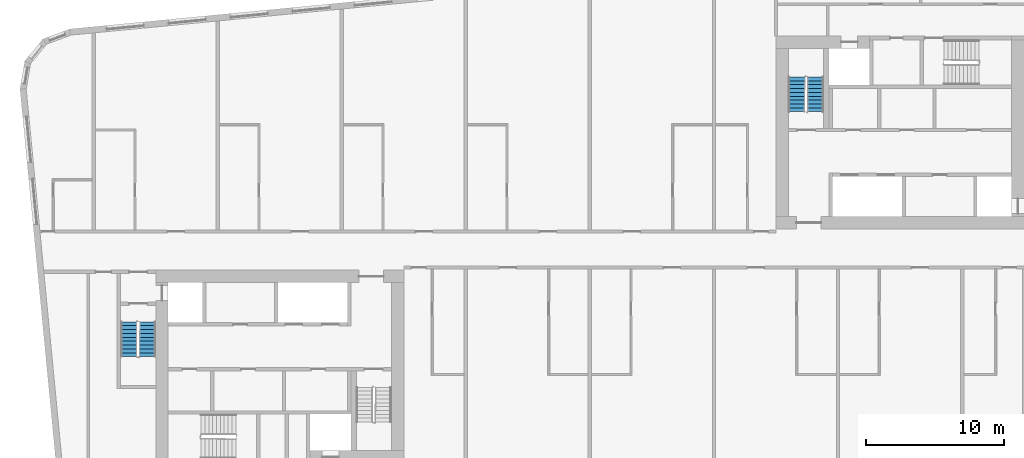
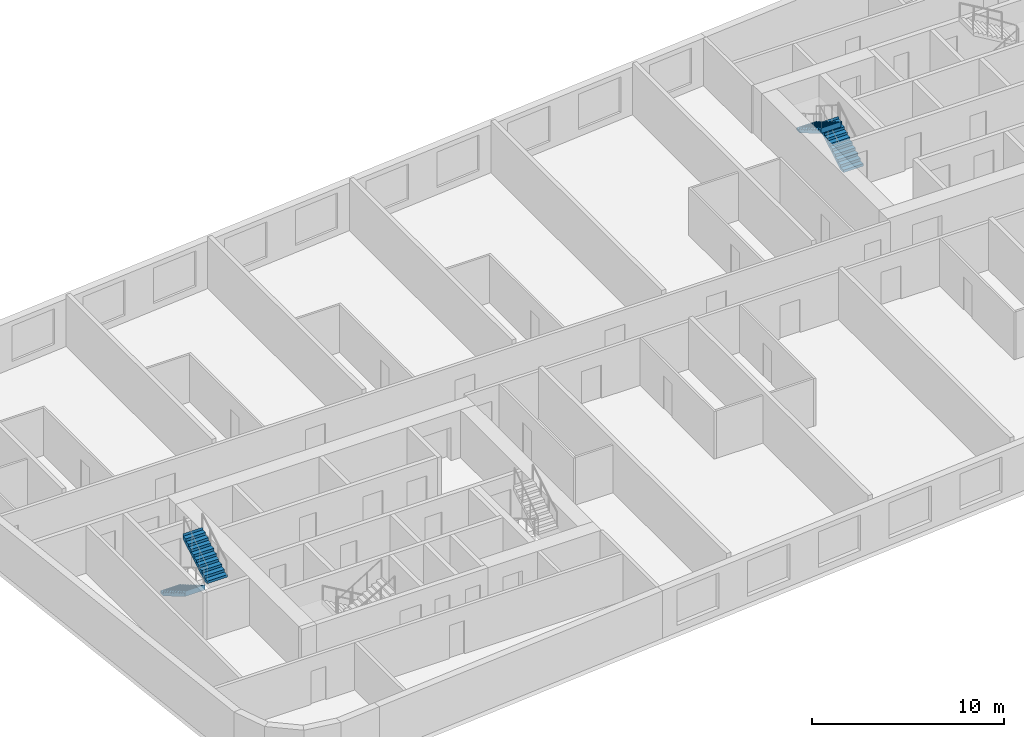
# One storey, part 9 of 11: 4 stair flights, 2 elements without a shape of their own.
"""IFC4 building model written with IfcOpenShell, lengths in metres."""

from ifc_helpers import new_model, si_unit, direction, frame, origin, place, context, subcontext, project, spatial, faceted_brep, material, type_object, element, aggregate, save


model = new_model("IFC4")

# Units and contexts
model_context = context("Model", 3, precision=1e-05, world=origin(), true_north=direction((0.0, 1.0)))
body_context = subcontext(model_context, "Body", "Model", "MODEL_VIEW")
ifc_project = project(units=[si_unit("LENGTHUNIT", "METRE"), si_unit("AREAUNIT", "SQUARE_METRE"), si_unit("VOLUMEUNIT", "CUBIC_METRE"), si_unit("PLANEANGLEUNIT", "RADIAN"), si_unit("MASSUNIT", "GRAM", prefix="KILO")], contexts=[model_context])

# Site, building, storey
site_placement = place(None, origin())
site = spatial("IfcSite", under=ifc_project, at=site_placement, CompositionType="ELEMENT")
building_placement = place(site_placement, origin())
building = spatial("IfcBuilding", under=site, at=building_placement, Name="Kajstack Hotel Tower", CompositionType="ELEMENT")
storey_placement = place(building_placement, frame((0.0, 0.0, 275.10009765625)))
storey = spatial("IfcBuildingStorey", under=building, at=storey_placement, Name="L68", CompositionType="ELEMENT", Elevation=275.10009765625)

# Stair, stair flights
ifc_material = material(Name="Concrete C40/50", Category="concrete")
stair_type = type_object("IfcStairType", Name="Exit stair 1200", PredefinedType="HALF_TURN_STAIR", material=ifc_material)
stair_1_placement = place(storey_placement, origin())
stair_1 = element("IfcStair", 1, at=stair_1_placement, inside=storey, type_object=stair_type, Name="L68 stair W1", PredefinedType="HALF_TURN_STAIR")
stair_flight_type = type_object("IfcStairFlightType", Name="Exit stair flight 1200", PredefinedType="STRAIGHT", material=ifc_material)
stair_flight_1_placement = place(storey_placement, frame((-33.449951171875, -5.25, 0.0), z_axis=(0.0, 0.0, 1.0), x_axis=(0.0, -1.0, 0.0)))
stair_flight_1 = element("IfcStairFlight", 2, at=stair_flight_1_placement, type_object=stair_flight_type, Name="W1 flight 1", NumberOfRisers=10, NumberOfTreads=9, PredefinedType="STRAIGHT", RiserHeight=0.165, TreadLength=0.28, context=body_context, shape_type="Brep", body=[
    faceted_brep([(0.295654296875, -0.60009765625, 0.0), (2.5205078125, -0.60009765625, 1.31103515625), (2.5205078125, -0.60009765625, 1.64990234375), (2.52001953125, -0.60009765625, 1.64990234375), (2.52001953125, -0.60009765625, 1.485107421875), (2.239990234375, -0.60009765625, 1.485107421875), (2.239990234375, -0.60009765625, 1.320068359375), (1.9599609375, -0.60009765625, 1.320068359375), (1.9599609375, -0.60009765625, 1.155029296875), (1.679931640625, -0.60009765625, 1.155029296875), (1.679931640625, -0.60009765625, 0.989990234375), (1.39990234375, -0.60009765625, 0.989990234375), (1.39990234375, -0.60009765625, 0.824951171875), (1.1201171875, -0.60009765625, 0.824951171875), (1.1201171875, -0.60009765625, 0.659912109375), (0.840087890625, -0.60009765625, 0.659912109375), (0.840087890625, -0.60009765625, 0.4951171875), (0.56005859375, -0.60009765625, 0.4951171875), (0.56005859375, -0.60009765625, 0.330078125), (0.280029296875, -0.60009765625, 0.330078125), (0.280029296875, -0.60009765625, 0.1650390625), (-0.00048828125, -0.60009765625, 0.1650390625), (-0.00048828125, -0.60009765625, 0.0), (-0.00048828125, 0.60009765625, 0.0), (-0.00048828125, 0.60009765625, 0.1650390625), (0.280029296875, 0.60009765625, 0.1650390625), (0.280029296875, 0.60009765625, 0.330078125), (0.56005859375, 0.60009765625, 0.330078125), (0.56005859375, 0.60009765625, 0.4951171875), (0.840087890625, 0.60009765625, 0.4951171875), (0.840087890625, 0.60009765625, 0.659912109375), (1.1201171875, 0.60009765625, 0.659912109375), (1.1201171875, 0.60009765625, 0.824951171875), (1.39990234375, 0.60009765625, 0.824951171875), (1.39990234375, 0.60009765625, 0.989990234375), (1.679931640625, 0.60009765625, 0.989990234375), (1.679931640625, 0.60009765625, 1.155029296875), (1.9599609375, 0.60009765625, 1.155029296875), (1.9599609375, 0.60009765625, 1.320068359375), (2.239990234375, 0.60009765625, 1.320068359375), (2.239990234375, 0.60009765625, 1.485107421875), (2.52001953125, 0.60009765625, 1.485107421875), (2.52001953125, 0.60009765625, 1.64990234375), (2.5205078125, 0.60009765625, 1.64990234375), (2.5205078125, 0.60009765625, 1.31103515625), (0.295654296875, 0.60009765625, 0.0), (-0.00048828125, -0.300048828125, 0.1650390625), (-0.00048828125, 0.0, 0.1650390625), (-0.00048828125, 0.300048828125, 0.1650390625), (-0.00048828125, 0.300048828125, 0.0), (-0.00048828125, 0.0, 0.0), (-0.00048828125, -0.300048828125, 0.0), (0.280029296875, -0.300048828125, 0.1650390625), (0.280029296875, 0.0, 0.1650390625), (0.280029296875, 0.300048828125, 0.1650390625), (0.280029296875, -0.300048828125, 0.330078125), (0.280029296875, 0.0, 0.330078125), (0.280029296875, 0.300048828125, 0.330078125), (0.56005859375, -0.300048828125, 0.330078125), (0.56005859375, 0.0, 0.330078125), (0.56005859375, 0.300048828125, 0.330078125), (0.56005859375, -0.300048828125, 0.4951171875), (0.56005859375, 0.0, 0.4951171875), (0.56005859375, 0.300048828125, 0.4951171875), (0.840087890625, -0.300048828125, 0.4951171875), (0.840087890625, 0.0, 0.4951171875), (0.840087890625, 0.300048828125, 0.4951171875), (0.840087890625, -0.300048828125, 0.659912109375), (0.840087890625, 0.0, 0.659912109375), (0.840087890625, 0.300048828125, 0.659912109375), (1.1201171875, -0.300048828125, 0.659912109375), (1.1201171875, 0.0, 0.659912109375), (1.1201171875, 0.300048828125, 0.659912109375), (1.1201171875, -0.300048828125, 0.824951171875), (1.1201171875, 0.0, 0.824951171875), (1.1201171875, 0.300048828125, 0.824951171875), (1.39990234375, -0.300048828125, 0.824951171875), (1.39990234375, 0.0, 0.824951171875), (1.39990234375, 0.300048828125, 0.824951171875), (1.39990234375, -0.300048828125, 0.989990234375), (1.39990234375, 0.0, 0.989990234375), (1.39990234375, 0.300048828125, 0.989990234375), (1.679931640625, -0.300048828125, 0.989990234375), (1.679931640625, 0.0, 0.989990234375), (1.679931640625, 0.300048828125, 0.989990234375), (1.679931640625, -0.300048828125, 1.155029296875), (1.679931640625, 0.0, 1.155029296875), (1.679931640625, 0.300048828125, 1.155029296875), (1.9599609375, -0.300048828125, 1.155029296875), (1.9599609375, 0.0, 1.155029296875), (1.9599609375, 0.300048828125, 1.155029296875), (1.9599609375, -0.300048828125, 1.320068359375), (1.9599609375, 0.0, 1.320068359375), (1.9599609375, 0.300048828125, 1.320068359375), (2.239990234375, -0.300048828125, 1.320068359375), (2.239990234375, 0.0, 1.320068359375), (2.239990234375, 0.300048828125, 1.320068359375), (2.239990234375, -0.300048828125, 1.485107421875), (2.239990234375, 0.0, 1.485107421875), (2.239990234375, 0.300048828125, 1.485107421875), (2.52001953125, -0.300048828125, 1.485107421875), (2.52001953125, 0.0, 1.485107421875), (2.52001953125, 0.300048828125, 1.485107421875), (2.52001953125, -0.300048828125, 1.64990234375), (2.52001953125, 0.0, 1.64990234375), (2.52001953125, 0.300048828125, 1.64990234375), (2.5205078125, -0.300048828125, 1.64990234375), (2.5205078125, 0.0, 1.64990234375), (2.5205078125, 0.300048828125, 1.64990234375), (2.5205078125, -0.300048828125, 1.31103515625), (2.5205078125, 0.0, 1.31103515625), (2.5205078125, 0.300048828125, 1.31103515625), (0.295654296875, -0.300048828125, 0.0), (0.295654296875, 0.0, 0.0), (0.295654296875, 0.300048828125, 0.0)], [[[0, 1, 2, 3, 4, 5, 6, 7, 8, 9, 10, 11, 12, 13, 14, 15, 16, 17, 18, 19, 20, 21, 22]], [[23, 24, 25, 26, 27, 28, 29, 30, 31, 32, 33, 34, 35, 36, 37, 38, 39, 40, 41, 42, 43, 44, 45]], [[21, 46, 47, 48, 24, 23, 49, 50, 51, 22]], [[20, 52, 53, 54, 25, 24, 48, 47, 46, 21]], [[19, 55, 56, 57, 26, 25, 54, 53, 52, 20]], [[18, 58, 59, 60, 27, 26, 57, 56, 55, 19]], [[17, 61, 62, 63, 28, 27, 60, 59, 58, 18]], [[16, 64, 65, 66, 29, 28, 63, 62, 61, 17]], [[15, 67, 68, 69, 30, 29, 66, 65, 64, 16]], [[14, 70, 71, 72, 31, 30, 69, 68, 67, 15]], [[13, 73, 74, 75, 32, 31, 72, 71, 70, 14]], [[12, 76, 77, 78, 33, 32, 75, 74, 73, 13]], [[11, 79, 80, 81, 34, 33, 78, 77, 76, 12]], [[10, 82, 83, 84, 35, 34, 81, 80, 79, 11]], [[9, 85, 86, 87, 36, 35, 84, 83, 82, 10]], [[8, 88, 89, 90, 37, 36, 87, 86, 85, 9]], [[7, 91, 92, 93, 38, 37, 90, 89, 88, 8]], [[6, 94, 95, 96, 39, 38, 93, 92, 91, 7]], [[5, 97, 98, 99, 40, 39, 96, 95, 94, 6]], [[4, 100, 101, 102, 41, 40, 99, 98, 97, 5]], [[3, 103, 104, 105, 42, 41, 102, 101, 100, 4]], [[2, 106, 107, 108, 43, 42, 105, 104, 103, 3]], [[1, 109, 110, 111, 44, 43, 108, 107, 106, 2]], [[0, 112, 113, 114, 45, 44, 111, 110, 109, 1]], [[22, 51, 50, 49, 23, 45, 114, 113, 112, 0]]]),
])
stair_flight_2_placement = place(storey_placement, frame((-32.10009765625, -7.77001953125, 1.64990234375), z_axis=(0.0, 0.0, 1.0), x_axis=(0.0, 1.0, 0.0)))
stair_flight_2 = element("IfcStairFlight", 3, at=stair_flight_2_placement, type_object=stair_flight_type, Name="W1 flight 2", NumberOfRisers=10, NumberOfTreads=9, PredefinedType="STRAIGHT", RiserHeight=0.165, TreadLength=0.28, context=body_context, shape_type="Brep", body=[
    faceted_brep([(0.295654296875, -0.60009765625, 0.0), (2.5205078125, -0.60009765625, 1.31103515625), (2.5205078125, -0.60009765625, 1.64990234375), (2.52001953125, -0.60009765625, 1.64990234375), (2.52001953125, -0.60009765625, 1.485107421875), (2.239990234375, -0.60009765625, 1.485107421875), (2.239990234375, -0.60009765625, 1.320068359375), (1.9599609375, -0.60009765625, 1.320068359375), (1.9599609375, -0.60009765625, 1.155029296875), (1.679931640625, -0.60009765625, 1.155029296875), (1.679931640625, -0.60009765625, 0.989990234375), (1.39990234375, -0.60009765625, 0.989990234375), (1.39990234375, -0.60009765625, 0.824951171875), (1.1201171875, -0.60009765625, 0.824951171875), (1.1201171875, -0.60009765625, 0.659912109375), (0.840087890625, -0.60009765625, 0.659912109375), (0.840087890625, -0.60009765625, 0.4951171875), (0.56005859375, -0.60009765625, 0.4951171875), (0.56005859375, -0.60009765625, 0.330078125), (0.280029296875, -0.60009765625, 0.330078125), (0.280029296875, -0.60009765625, 0.1650390625), (-0.00048828125, -0.60009765625, 0.1650390625), (-0.00048828125, -0.60009765625, 0.0), (-0.00048828125, 0.60009765625, 0.0), (-0.00048828125, 0.60009765625, 0.1650390625), (0.280029296875, 0.60009765625, 0.1650390625), (0.280029296875, 0.60009765625, 0.330078125), (0.56005859375, 0.60009765625, 0.330078125), (0.56005859375, 0.60009765625, 0.4951171875), (0.840087890625, 0.60009765625, 0.4951171875), (0.840087890625, 0.60009765625, 0.659912109375), (1.1201171875, 0.60009765625, 0.659912109375), (1.1201171875, 0.60009765625, 0.824951171875), (1.39990234375, 0.60009765625, 0.824951171875), (1.39990234375, 0.60009765625, 0.989990234375), (1.679931640625, 0.60009765625, 0.989990234375), (1.679931640625, 0.60009765625, 1.155029296875), (1.9599609375, 0.60009765625, 1.155029296875), (1.9599609375, 0.60009765625, 1.320068359375), (2.239990234375, 0.60009765625, 1.320068359375), (2.239990234375, 0.60009765625, 1.485107421875), (2.52001953125, 0.60009765625, 1.485107421875), (2.52001953125, 0.60009765625, 1.64990234375), (2.5205078125, 0.60009765625, 1.64990234375), (2.5205078125, 0.60009765625, 1.31103515625), (0.295654296875, 0.60009765625, 0.0), (-0.00048828125, -0.300048828125, 0.1650390625), (-0.00048828125, 0.0, 0.1650390625), (-0.00048828125, 0.300048828125, 0.1650390625), (-0.00048828125, 0.300048828125, 0.0), (-0.00048828125, 0.0, 0.0), (-0.00048828125, -0.300048828125, 0.0), (0.280029296875, -0.300048828125, 0.1650390625), (0.280029296875, 0.0, 0.1650390625), (0.280029296875, 0.300048828125, 0.1650390625), (0.280029296875, -0.300048828125, 0.330078125), (0.280029296875, 0.0, 0.330078125), (0.280029296875, 0.300048828125, 0.330078125), (0.56005859375, -0.300048828125, 0.330078125), (0.56005859375, 0.0, 0.330078125), (0.56005859375, 0.300048828125, 0.330078125), (0.56005859375, -0.300048828125, 0.4951171875), (0.56005859375, 0.0, 0.4951171875), (0.56005859375, 0.300048828125, 0.4951171875), (0.840087890625, -0.300048828125, 0.4951171875), (0.840087890625, 0.0, 0.4951171875), (0.840087890625, 0.300048828125, 0.4951171875), (0.840087890625, -0.300048828125, 0.659912109375), (0.840087890625, 0.0, 0.659912109375), (0.840087890625, 0.300048828125, 0.659912109375), (1.1201171875, -0.300048828125, 0.659912109375), (1.1201171875, 0.0, 0.659912109375), (1.1201171875, 0.300048828125, 0.659912109375), (1.1201171875, -0.300048828125, 0.824951171875), (1.1201171875, 0.0, 0.824951171875), (1.1201171875, 0.300048828125, 0.824951171875), (1.39990234375, -0.300048828125, 0.824951171875), (1.39990234375, 0.0, 0.824951171875), (1.39990234375, 0.300048828125, 0.824951171875), (1.39990234375, -0.300048828125, 0.989990234375), (1.39990234375, 0.0, 0.989990234375), (1.39990234375, 0.300048828125, 0.989990234375), (1.679931640625, -0.300048828125, 0.989990234375), (1.679931640625, 0.0, 0.989990234375), (1.679931640625, 0.300048828125, 0.989990234375), (1.679931640625, -0.300048828125, 1.155029296875), (1.679931640625, 0.0, 1.155029296875), (1.679931640625, 0.300048828125, 1.155029296875), (1.9599609375, -0.300048828125, 1.155029296875), (1.9599609375, 0.0, 1.155029296875), (1.9599609375, 0.300048828125, 1.155029296875), (1.9599609375, -0.300048828125, 1.320068359375), (1.9599609375, 0.0, 1.320068359375), (1.9599609375, 0.300048828125, 1.320068359375), (2.239990234375, -0.300048828125, 1.320068359375), (2.239990234375, 0.0, 1.320068359375), (2.239990234375, 0.300048828125, 1.320068359375), (2.239990234375, -0.300048828125, 1.485107421875), (2.239990234375, 0.0, 1.485107421875), (2.239990234375, 0.300048828125, 1.485107421875), (2.52001953125, -0.300048828125, 1.485107421875), (2.52001953125, 0.0, 1.485107421875), (2.52001953125, 0.300048828125, 1.485107421875), (2.52001953125, -0.300048828125, 1.64990234375), (2.52001953125, 0.0, 1.64990234375), (2.52001953125, 0.300048828125, 1.64990234375), (2.5205078125, -0.300048828125, 1.64990234375), (2.5205078125, 0.0, 1.64990234375), (2.5205078125, 0.300048828125, 1.64990234375), (2.5205078125, -0.300048828125, 1.31103515625), (2.5205078125, 0.0, 1.31103515625), (2.5205078125, 0.300048828125, 1.31103515625), (0.295654296875, -0.300048828125, 0.0), (0.295654296875, 0.0, 0.0), (0.295654296875, 0.300048828125, 0.0)], [[[0, 1, 2, 3, 4, 5, 6, 7, 8, 9, 10, 11, 12, 13, 14, 15, 16, 17, 18, 19, 20, 21, 22]], [[23, 24, 25, 26, 27, 28, 29, 30, 31, 32, 33, 34, 35, 36, 37, 38, 39, 40, 41, 42, 43, 44, 45]], [[21, 46, 47, 48, 24, 23, 49, 50, 51, 22]], [[20, 52, 53, 54, 25, 24, 48, 47, 46, 21]], [[19, 55, 56, 57, 26, 25, 54, 53, 52, 20]], [[18, 58, 59, 60, 27, 26, 57, 56, 55, 19]], [[17, 61, 62, 63, 28, 27, 60, 59, 58, 18]], [[16, 64, 65, 66, 29, 28, 63, 62, 61, 17]], [[15, 67, 68, 69, 30, 29, 66, 65, 64, 16]], [[14, 70, 71, 72, 31, 30, 69, 68, 67, 15]], [[13, 73, 74, 75, 32, 31, 72, 71, 70, 14]], [[12, 76, 77, 78, 33, 32, 75, 74, 73, 13]], [[11, 79, 80, 81, 34, 33, 78, 77, 76, 12]], [[10, 82, 83, 84, 35, 34, 81, 80, 79, 11]], [[9, 85, 86, 87, 36, 35, 84, 83, 82, 10]], [[8, 88, 89, 90, 37, 36, 87, 86, 85, 9]], [[7, 91, 92, 93, 38, 37, 90, 89, 88, 8]], [[6, 94, 95, 96, 39, 38, 93, 92, 91, 7]], [[5, 97, 98, 99, 40, 39, 96, 95, 94, 6]], [[4, 100, 101, 102, 41, 40, 99, 98, 97, 5]], [[3, 103, 104, 105, 42, 41, 102, 101, 100, 4]], [[2, 106, 107, 108, 43, 42, 105, 104, 103, 3]], [[1, 109, 110, 111, 44, 43, 108, 107, 106, 2]], [[0, 112, 113, 114, 45, 44, 111, 110, 109, 1]], [[22, 51, 50, 49, 23, 45, 114, 113, 112, 0]]]),
])
aggregate(stair_1, [stair_flight_1, stair_flight_2])

stair_2_placement = place(storey_placement, origin())
stair_2 = element("IfcStair", 4, at=stair_2_placement, inside=storey, type_object=stair_type, Name="L68 stair E2", PredefinedType="HALF_TURN_STAIR")
stair_flight_3_placement = place(storey_placement, frame((16.35009765625, 10.0, 0.0), z_axis=(0.0, 0.0, 1.0), x_axis=(0.0, 1.0, 0.0)))
stair_flight_3 = element("IfcStairFlight", 5, at=stair_flight_3_placement, type_object=stair_flight_type, Name="E2 flight 1", NumberOfRisers=10, NumberOfTreads=9, PredefinedType="STRAIGHT", RiserHeight=0.165, TreadLength=0.28, context=body_context, shape_type="Brep", body=[
    faceted_brep([(0.295654296875, -0.60009765625, 0.0), (2.5205078125, -0.60009765625, 1.31103515625), (2.5205078125, -0.60009765625, 1.64990234375), (2.52001953125, -0.60009765625, 1.64990234375), (2.52001953125, -0.60009765625, 1.485107421875), (2.239990234375, -0.60009765625, 1.485107421875), (2.239990234375, -0.60009765625, 1.320068359375), (1.9599609375, -0.60009765625, 1.320068359375), (1.9599609375, -0.60009765625, 1.155029296875), (1.679931640625, -0.60009765625, 1.155029296875), (1.679931640625, -0.60009765625, 0.989990234375), (1.39990234375, -0.60009765625, 0.989990234375), (1.39990234375, -0.60009765625, 0.824951171875), (1.1201171875, -0.60009765625, 0.824951171875), (1.1201171875, -0.60009765625, 0.659912109375), (0.840087890625, -0.60009765625, 0.659912109375), (0.840087890625, -0.60009765625, 0.4951171875), (0.56005859375, -0.60009765625, 0.4951171875), (0.56005859375, -0.60009765625, 0.330078125), (0.280029296875, -0.60009765625, 0.330078125), (0.280029296875, -0.60009765625, 0.1650390625), (-0.00048828125, -0.60009765625, 0.1650390625), (-0.00048828125, -0.60009765625, 0.0), (-0.00048828125, 0.60009765625, 0.0), (-0.00048828125, 0.60009765625, 0.1650390625), (0.280029296875, 0.60009765625, 0.1650390625), (0.280029296875, 0.60009765625, 0.330078125), (0.56005859375, 0.60009765625, 0.330078125), (0.56005859375, 0.60009765625, 0.4951171875), (0.840087890625, 0.60009765625, 0.4951171875), (0.840087890625, 0.60009765625, 0.659912109375), (1.1201171875, 0.60009765625, 0.659912109375), (1.1201171875, 0.60009765625, 0.824951171875), (1.39990234375, 0.60009765625, 0.824951171875), (1.39990234375, 0.60009765625, 0.989990234375), (1.679931640625, 0.60009765625, 0.989990234375), (1.679931640625, 0.60009765625, 1.155029296875), (1.9599609375, 0.60009765625, 1.155029296875), (1.9599609375, 0.60009765625, 1.320068359375), (2.239990234375, 0.60009765625, 1.320068359375), (2.239990234375, 0.60009765625, 1.485107421875), (2.52001953125, 0.60009765625, 1.485107421875), (2.52001953125, 0.60009765625, 1.64990234375), (2.5205078125, 0.60009765625, 1.64990234375), (2.5205078125, 0.60009765625, 1.31103515625), (0.295654296875, 0.60009765625, 0.0), (-0.00048828125, -0.300048828125, 0.1650390625), (-0.00048828125, 0.0, 0.1650390625), (-0.00048828125, 0.300048828125, 0.1650390625), (-0.00048828125, 0.300048828125, 0.0), (-0.00048828125, 0.0, 0.0), (-0.00048828125, -0.300048828125, 0.0), (0.280029296875, -0.300048828125, 0.1650390625), (0.280029296875, 0.0, 0.1650390625), (0.280029296875, 0.300048828125, 0.1650390625), (0.280029296875, -0.300048828125, 0.330078125), (0.280029296875, 0.0, 0.330078125), (0.280029296875, 0.300048828125, 0.330078125), (0.56005859375, -0.300048828125, 0.330078125), (0.56005859375, 0.0, 0.330078125), (0.56005859375, 0.300048828125, 0.330078125), (0.56005859375, -0.300048828125, 0.4951171875), (0.56005859375, 0.0, 0.4951171875), (0.56005859375, 0.300048828125, 0.4951171875), (0.840087890625, -0.300048828125, 0.4951171875), (0.840087890625, 0.0, 0.4951171875), (0.840087890625, 0.300048828125, 0.4951171875), (0.840087890625, -0.300048828125, 0.659912109375), (0.840087890625, 0.0, 0.659912109375), (0.840087890625, 0.300048828125, 0.659912109375), (1.1201171875, -0.300048828125, 0.659912109375), (1.1201171875, 0.0, 0.659912109375), (1.1201171875, 0.300048828125, 0.659912109375), (1.1201171875, -0.300048828125, 0.824951171875), (1.1201171875, 0.0, 0.824951171875), (1.1201171875, 0.300048828125, 0.824951171875), (1.39990234375, -0.300048828125, 0.824951171875), (1.39990234375, 0.0, 0.824951171875), (1.39990234375, 0.300048828125, 0.824951171875), (1.39990234375, -0.300048828125, 0.989990234375), (1.39990234375, 0.0, 0.989990234375), (1.39990234375, 0.300048828125, 0.989990234375), (1.679931640625, -0.300048828125, 0.989990234375), (1.679931640625, 0.0, 0.989990234375), (1.679931640625, 0.300048828125, 0.989990234375), (1.679931640625, -0.300048828125, 1.155029296875), (1.679931640625, 0.0, 1.155029296875), (1.679931640625, 0.300048828125, 1.155029296875), (1.9599609375, -0.300048828125, 1.155029296875), (1.9599609375, 0.0, 1.155029296875), (1.9599609375, 0.300048828125, 1.155029296875), (1.9599609375, -0.300048828125, 1.320068359375), (1.9599609375, 0.0, 1.320068359375), (1.9599609375, 0.300048828125, 1.320068359375), (2.239990234375, -0.300048828125, 1.320068359375), (2.239990234375, 0.0, 1.320068359375), (2.239990234375, 0.300048828125, 1.320068359375), (2.239990234375, -0.300048828125, 1.485107421875), (2.239990234375, 0.0, 1.485107421875), (2.239990234375, 0.300048828125, 1.485107421875), (2.52001953125, -0.300048828125, 1.485107421875), (2.52001953125, 0.0, 1.485107421875), (2.52001953125, 0.300048828125, 1.485107421875), (2.52001953125, -0.300048828125, 1.64990234375), (2.52001953125, 0.0, 1.64990234375), (2.52001953125, 0.300048828125, 1.64990234375), (2.5205078125, -0.300048828125, 1.64990234375), (2.5205078125, 0.0, 1.64990234375), (2.5205078125, 0.300048828125, 1.64990234375), (2.5205078125, -0.300048828125, 1.31103515625), (2.5205078125, 0.0, 1.31103515625), (2.5205078125, 0.300048828125, 1.31103515625), (0.295654296875, -0.300048828125, 0.0), (0.295654296875, 0.0, 0.0), (0.295654296875, 0.300048828125, 0.0)], [[[0, 1, 2, 3, 4, 5, 6, 7, 8, 9, 10, 11, 12, 13, 14, 15, 16, 17, 18, 19, 20, 21, 22]], [[23, 24, 25, 26, 27, 28, 29, 30, 31, 32, 33, 34, 35, 36, 37, 38, 39, 40, 41, 42, 43, 44, 45]], [[21, 46, 47, 48, 24, 23, 49, 50, 51, 22]], [[20, 52, 53, 54, 25, 24, 48, 47, 46, 21]], [[19, 55, 56, 57, 26, 25, 54, 53, 52, 20]], [[18, 58, 59, 60, 27, 26, 57, 56, 55, 19]], [[17, 61, 62, 63, 28, 27, 60, 59, 58, 18]], [[16, 64, 65, 66, 29, 28, 63, 62, 61, 17]], [[15, 67, 68, 69, 30, 29, 66, 65, 64, 16]], [[14, 70, 71, 72, 31, 30, 69, 68, 67, 15]], [[13, 73, 74, 75, 32, 31, 72, 71, 70, 14]], [[12, 76, 77, 78, 33, 32, 75, 74, 73, 13]], [[11, 79, 80, 81, 34, 33, 78, 77, 76, 12]], [[10, 82, 83, 84, 35, 34, 81, 80, 79, 11]], [[9, 85, 86, 87, 36, 35, 84, 83, 82, 10]], [[8, 88, 89, 90, 37, 36, 87, 86, 85, 9]], [[7, 91, 92, 93, 38, 37, 90, 89, 88, 8]], [[6, 94, 95, 96, 39, 38, 93, 92, 91, 7]], [[5, 97, 98, 99, 40, 39, 96, 95, 94, 6]], [[4, 100, 101, 102, 41, 40, 99, 98, 97, 5]], [[3, 103, 104, 105, 42, 41, 102, 101, 100, 4]], [[2, 106, 107, 108, 43, 42, 105, 104, 103, 3]], [[1, 109, 110, 111, 44, 43, 108, 107, 106, 2]], [[0, 112, 113, 114, 45, 44, 111, 110, 109, 1]], [[22, 51, 50, 49, 23, 45, 114, 113, 112, 0]]]),
])
stair_flight_4_placement = place(storey_placement, frame((15.0, 12.52001953125, 1.64990234375), z_axis=(0.0, 0.0, 1.0), x_axis=(0.0, -1.0, 0.0)))
stair_flight_4 = element("IfcStairFlight", 6, at=stair_flight_4_placement, type_object=stair_flight_type, Name="E2 flight 2", NumberOfRisers=10, NumberOfTreads=9, PredefinedType="STRAIGHT", RiserHeight=0.165, TreadLength=0.28, context=body_context, shape_type="Brep", body=[
    faceted_brep([(0.295654296875, -0.60009765625, 0.0), (2.5205078125, -0.60009765625, 1.31103515625), (2.5205078125, -0.60009765625, 1.64990234375), (2.52001953125, -0.60009765625, 1.64990234375), (2.52001953125, -0.60009765625, 1.485107421875), (2.239990234375, -0.60009765625, 1.485107421875), (2.239990234375, -0.60009765625, 1.320068359375), (1.9599609375, -0.60009765625, 1.320068359375), (1.9599609375, -0.60009765625, 1.155029296875), (1.679931640625, -0.60009765625, 1.155029296875), (1.679931640625, -0.60009765625, 0.989990234375), (1.39990234375, -0.60009765625, 0.989990234375), (1.39990234375, -0.60009765625, 0.824951171875), (1.1201171875, -0.60009765625, 0.824951171875), (1.1201171875, -0.60009765625, 0.659912109375), (0.840087890625, -0.60009765625, 0.659912109375), (0.840087890625, -0.60009765625, 0.4951171875), (0.56005859375, -0.60009765625, 0.4951171875), (0.56005859375, -0.60009765625, 0.330078125), (0.280029296875, -0.60009765625, 0.330078125), (0.280029296875, -0.60009765625, 0.1650390625), (-0.00048828125, -0.60009765625, 0.1650390625), (-0.00048828125, -0.60009765625, 0.0), (-0.00048828125, 0.60009765625, 0.0), (-0.00048828125, 0.60009765625, 0.1650390625), (0.280029296875, 0.60009765625, 0.1650390625), (0.280029296875, 0.60009765625, 0.330078125), (0.56005859375, 0.60009765625, 0.330078125), (0.56005859375, 0.60009765625, 0.4951171875), (0.840087890625, 0.60009765625, 0.4951171875), (0.840087890625, 0.60009765625, 0.659912109375), (1.1201171875, 0.60009765625, 0.659912109375), (1.1201171875, 0.60009765625, 0.824951171875), (1.39990234375, 0.60009765625, 0.824951171875), (1.39990234375, 0.60009765625, 0.989990234375), (1.679931640625, 0.60009765625, 0.989990234375), (1.679931640625, 0.60009765625, 1.155029296875), (1.9599609375, 0.60009765625, 1.155029296875), (1.9599609375, 0.60009765625, 1.320068359375), (2.239990234375, 0.60009765625, 1.320068359375), (2.239990234375, 0.60009765625, 1.485107421875), (2.52001953125, 0.60009765625, 1.485107421875), (2.52001953125, 0.60009765625, 1.64990234375), (2.5205078125, 0.60009765625, 1.64990234375), (2.5205078125, 0.60009765625, 1.31103515625), (0.295654296875, 0.60009765625, 0.0), (-0.00048828125, -0.300048828125, 0.1650390625), (-0.00048828125, 0.0, 0.1650390625), (-0.00048828125, 0.300048828125, 0.1650390625), (-0.00048828125, 0.300048828125, 0.0), (-0.00048828125, 0.0, 0.0), (-0.00048828125, -0.300048828125, 0.0), (0.280029296875, -0.300048828125, 0.1650390625), (0.280029296875, 0.0, 0.1650390625), (0.280029296875, 0.300048828125, 0.1650390625), (0.280029296875, -0.300048828125, 0.330078125), (0.280029296875, 0.0, 0.330078125), (0.280029296875, 0.300048828125, 0.330078125), (0.56005859375, -0.300048828125, 0.330078125), (0.56005859375, 0.0, 0.330078125), (0.56005859375, 0.300048828125, 0.330078125), (0.56005859375, -0.300048828125, 0.4951171875), (0.56005859375, 0.0, 0.4951171875), (0.56005859375, 0.300048828125, 0.4951171875), (0.840087890625, -0.300048828125, 0.4951171875), (0.840087890625, 0.0, 0.4951171875), (0.840087890625, 0.300048828125, 0.4951171875), (0.840087890625, -0.300048828125, 0.659912109375), (0.840087890625, 0.0, 0.659912109375), (0.840087890625, 0.300048828125, 0.659912109375), (1.1201171875, -0.300048828125, 0.659912109375), (1.1201171875, 0.0, 0.659912109375), (1.1201171875, 0.300048828125, 0.659912109375), (1.1201171875, -0.300048828125, 0.824951171875), (1.1201171875, 0.0, 0.824951171875), (1.1201171875, 0.300048828125, 0.824951171875), (1.39990234375, -0.300048828125, 0.824951171875), (1.39990234375, 0.0, 0.824951171875), (1.39990234375, 0.300048828125, 0.824951171875), (1.39990234375, -0.300048828125, 0.989990234375), (1.39990234375, 0.0, 0.989990234375), (1.39990234375, 0.300048828125, 0.989990234375), (1.679931640625, -0.300048828125, 0.989990234375), (1.679931640625, 0.0, 0.989990234375), (1.679931640625, 0.300048828125, 0.989990234375), (1.679931640625, -0.300048828125, 1.155029296875), (1.679931640625, 0.0, 1.155029296875), (1.679931640625, 0.300048828125, 1.155029296875), (1.9599609375, -0.300048828125, 1.155029296875), (1.9599609375, 0.0, 1.155029296875), (1.9599609375, 0.300048828125, 1.155029296875), (1.9599609375, -0.300048828125, 1.320068359375), (1.9599609375, 0.0, 1.320068359375), (1.9599609375, 0.300048828125, 1.320068359375), (2.239990234375, -0.300048828125, 1.320068359375), (2.239990234375, 0.0, 1.320068359375), (2.239990234375, 0.300048828125, 1.320068359375), (2.239990234375, -0.300048828125, 1.485107421875), (2.239990234375, 0.0, 1.485107421875), (2.239990234375, 0.300048828125, 1.485107421875), (2.52001953125, -0.300048828125, 1.485107421875), (2.52001953125, 0.0, 1.485107421875), (2.52001953125, 0.300048828125, 1.485107421875), (2.52001953125, -0.300048828125, 1.64990234375), (2.52001953125, 0.0, 1.64990234375), (2.52001953125, 0.300048828125, 1.64990234375), (2.5205078125, -0.300048828125, 1.64990234375), (2.5205078125, 0.0, 1.64990234375), (2.5205078125, 0.300048828125, 1.64990234375), (2.5205078125, -0.300048828125, 1.31103515625), (2.5205078125, 0.0, 1.31103515625), (2.5205078125, 0.300048828125, 1.31103515625), (0.295654296875, -0.300048828125, 0.0), (0.295654296875, 0.0, 0.0), (0.295654296875, 0.300048828125, 0.0)], [[[0, 1, 2, 3, 4, 5, 6, 7, 8, 9, 10, 11, 12, 13, 14, 15, 16, 17, 18, 19, 20, 21, 22]], [[23, 24, 25, 26, 27, 28, 29, 30, 31, 32, 33, 34, 35, 36, 37, 38, 39, 40, 41, 42, 43, 44, 45]], [[21, 46, 47, 48, 24, 23, 49, 50, 51, 22]], [[20, 52, 53, 54, 25, 24, 48, 47, 46, 21]], [[19, 55, 56, 57, 26, 25, 54, 53, 52, 20]], [[18, 58, 59, 60, 27, 26, 57, 56, 55, 19]], [[17, 61, 62, 63, 28, 27, 60, 59, 58, 18]], [[16, 64, 65, 66, 29, 28, 63, 62, 61, 17]], [[15, 67, 68, 69, 30, 29, 66, 65, 64, 16]], [[14, 70, 71, 72, 31, 30, 69, 68, 67, 15]], [[13, 73, 74, 75, 32, 31, 72, 71, 70, 14]], [[12, 76, 77, 78, 33, 32, 75, 74, 73, 13]], [[11, 79, 80, 81, 34, 33, 78, 77, 76, 12]], [[10, 82, 83, 84, 35, 34, 81, 80, 79, 11]], [[9, 85, 86, 87, 36, 35, 84, 83, 82, 10]], [[8, 88, 89, 90, 37, 36, 87, 86, 85, 9]], [[7, 91, 92, 93, 38, 37, 90, 89, 88, 8]], [[6, 94, 95, 96, 39, 38, 93, 92, 91, 7]], [[5, 97, 98, 99, 40, 39, 96, 95, 94, 6]], [[4, 100, 101, 102, 41, 40, 99, 98, 97, 5]], [[3, 103, 104, 105, 42, 41, 102, 101, 100, 4]], [[2, 106, 107, 108, 43, 42, 105, 104, 103, 3]], [[1, 109, 110, 111, 44, 43, 108, 107, 106, 2]], [[0, 112, 113, 114, 45, 44, 111, 110, 109, 1]], [[22, 51, 50, 49, 23, 45, 114, 113, 112, 0]]]),
])
aggregate(stair_2, [stair_flight_3, stair_flight_4])

save(model, "model.ifc")
